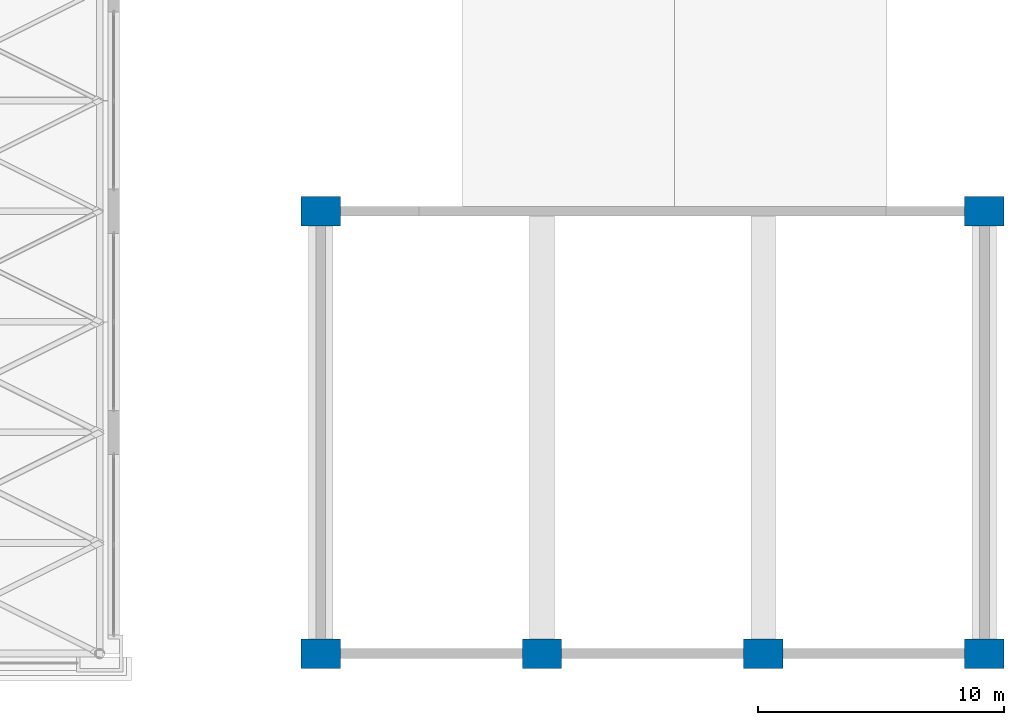
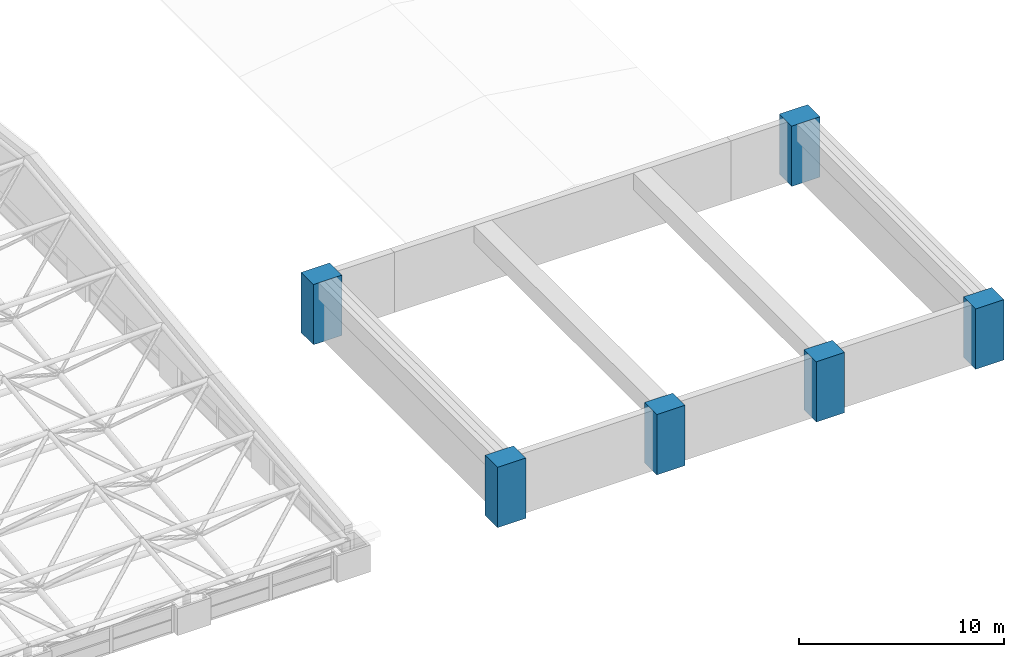
# One storey, part 1 of 53: 6 columns.
"""IFC4 building model written with IfcOpenShell, lengths in metres."""

from ifc_helpers import new_model, si_unit, direction, frame, origin, origin_2d, place, context, subcontext, project, spatial, rectangle, extrude, material, material_profile, profile_set, type_object, element, save


model = new_model("IFC4")

# Units and contexts
model_context = context("Model", 3, precision=1e-05, world=origin(), true_north=direction((0.0, 1.0)))
body_context = subcontext(model_context, "Body", "Model", "MODEL_VIEW")
ifc_project = project(units=[si_unit("LENGTHUNIT", "METRE"), si_unit("AREAUNIT", "SQUARE_METRE"), si_unit("VOLUMEUNIT", "CUBIC_METRE"), si_unit("PLANEANGLEUNIT", "RADIAN"), si_unit("MASSUNIT", "GRAM", prefix="KILO")], contexts=[model_context])

# Site, building, storey
site_placement = place(None, origin())
site = spatial("IfcSite", under=ifc_project, at=site_placement, CompositionType="ELEMENT")
building_placement = place(site_placement, origin())
building = spatial("IfcBuilding", under=site, at=building_placement, Name="Aravalli Gate Trade Fair Centre", CompositionType="ELEMENT")
storey_placement = place(building_placement, frame((0.0, 0.0, 25.199951171875)))
storey = spatial("IfcBuildingStorey", under=building, at=storey_placement, Name="ROOF LEVEL 2", CompositionType="ELEMENT", Elevation=25.199951171875)

# Columns
ifc_material = material(Name="Concrete M45", Category="concrete")
ifc_material_profile_1 = material_profile(ifc_material, rectangle(XDim=1.60009765625, YDim=1.199951171875, at=origin_2d()), Name="RC 1600x1200")
ifc_profile_set_1 = profile_set([ifc_material_profile_1], Name="Concrete M45")
column_type_1 = type_object("IfcColumnType", Name="Congress RC column 1600 x 1200", PredefinedType="COLUMN", material=ifc_profile_set_1)
for number, where, z_axis, x_axis, name in (
    (1, (114.0, 46.0, 0.0), (0.0, 0.0, 1.0), (1.0, 0.0, 0.0), "Congress column 114.0/46 ROOF LEVEL 2"),
    (2, (123.0, 46.0, 0.0), (0.0, 0.0, 1.0), (1.0, 0.0, 0.0), "Congress column 123.0/46 ROOF LEVEL 2"),
    (3, (132.0, 46.0, 0.0), (0.0, 0.0, 1.0), (1.0, 0.0, 0.0), "Congress column 132.0/46 ROOF LEVEL 2"),
    (4, (141.0, 46.0, 0.0), (0.0, 0.0, 1.0), (1.0, 0.0, 0.0), "Congress column 141.0/46 ROOF LEVEL 2"),
):
    element("IfcColumn", number, at=place(storey_placement, frame(where, z_axis=z_axis, x_axis=x_axis)), inside=storey, type_object=column_type_1, Name=name, PredefinedType="COLUMN", context=body_context, shape_type="SweptSolid", body=[
        extrude(rectangle(XDim=1.60009765625, YDim=1.199951171875, at=origin_2d()), origin(), (0.0, 0.0, 1.0), 3.60009765625),
    ])
ifc_material_profile_2 = material_profile(ifc_material, rectangle(XDim=1.60009765625, YDim=1.199951171875, at=origin_2d()), Name="RC 1600x1200")
ifc_profile_set_2 = profile_set([ifc_material_profile_2], Name="Concrete M45")
column_type_2 = type_object("IfcColumnType", Name="Congress RC column 1600 x 1200, heavy stack", PredefinedType="COLUMN", material=ifc_profile_set_2)
for number, where, z_axis, x_axis, name in (
    (5, (114.0, 64.0, 0.0), (0.0, 0.0, 1.0), (1.0, 0.0, 0.0), "Congress column 114.0/64 ROOF LEVEL 2"),
    (6, (141.0, 64.0, 0.0), (0.0, 0.0, 1.0), (1.0, 0.0, 0.0), "Congress column 141.0/64 ROOF LEVEL 2"),
):
    element("IfcColumn", number, at=place(storey_placement, frame(where, z_axis=z_axis, x_axis=x_axis)), inside=storey, type_object=column_type_2, Name=name, PredefinedType="COLUMN", context=body_context, shape_type="SweptSolid", body=[
        extrude(rectangle(XDim=1.60009765625, YDim=1.199951171875, at=origin_2d()), origin(), (0.0, 0.0, 1.0), 3.60009765625),
    ])

save(model, "model.ifc")
